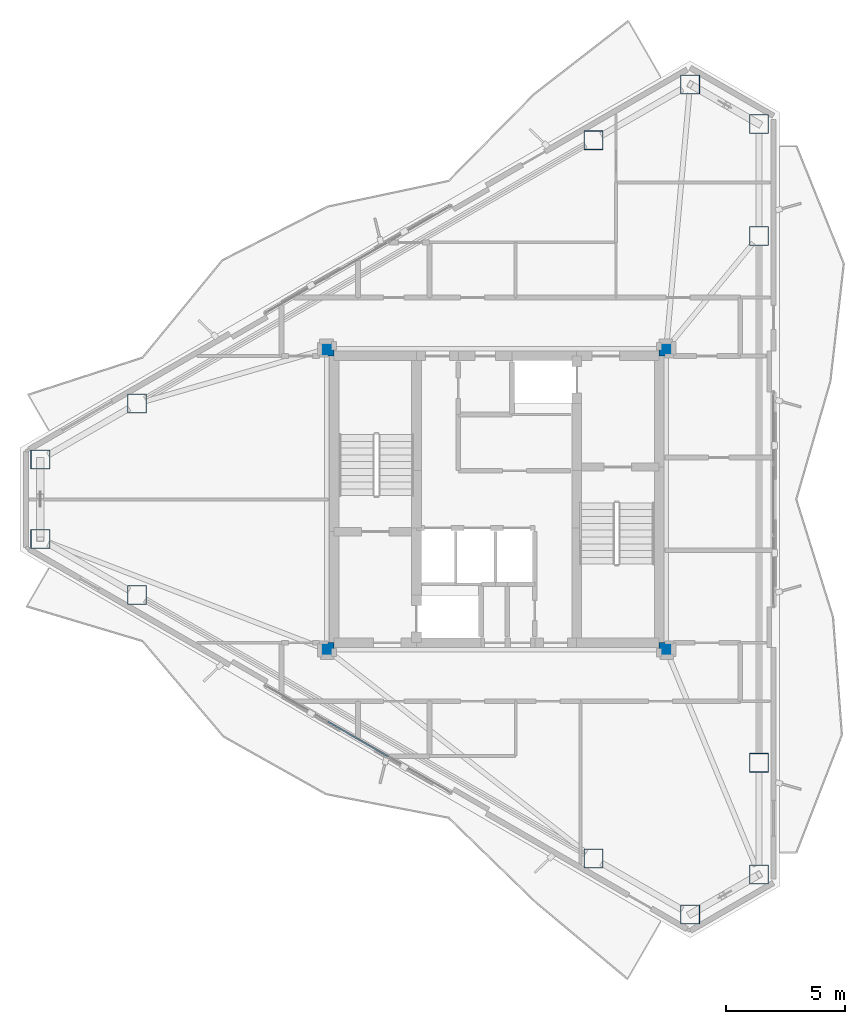
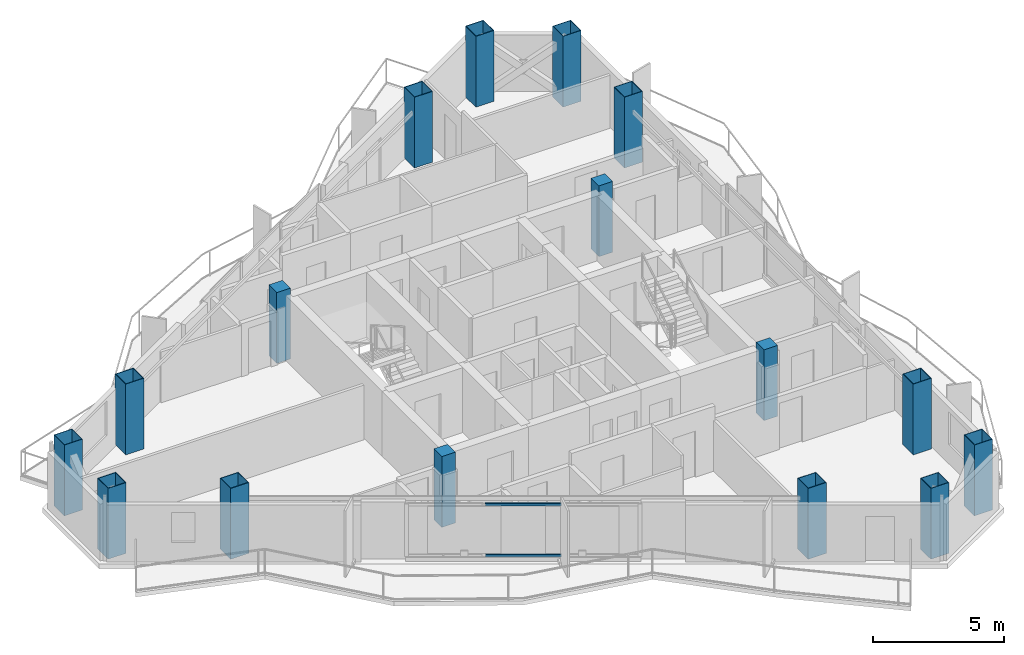
# One storey, part 1 of 21: 16 columns, 2 members, 1 element without a shape of its own.
"""IFC4 building model written with IfcOpenShell, lengths in metres."""

from ifc_helpers import new_model, si_unit, direction, frame, origin, origin_2d, place, context, subcontext, project, spatial, rectangle, hollow_rectangle, extrude, material, layer, layer_set, material_profile, profile_set, type_object, element, aggregate, save


model = new_model("IFC4")

# Units and contexts
model_context = context("Model", 3, precision=1e-05, world=origin(), true_north=direction((0.0, 1.0)))
body_context = subcontext(model_context, "Body", "Model", "MODEL_VIEW")
ifc_project = project(units=[si_unit("LENGTHUNIT", "METRE"), si_unit("AREAUNIT", "SQUARE_METRE"), si_unit("VOLUMEUNIT", "CUBIC_METRE"), si_unit("PLANEANGLEUNIT", "RADIAN"), si_unit("MASSUNIT", "GRAM", prefix="KILO")], contexts=[model_context])

# Site, building, storey
site_placement = place(None, origin())
site = spatial("IfcSite", under=ifc_project, at=site_placement, CompositionType="ELEMENT")
building_placement = place(site_placement, origin())
building = spatial("IfcBuilding", under=site, at=building_placement, Name="Mersakhor Tower and Convention Hall", CompositionType="ELEMENT")
storey_placement = place(building_placement, frame((0.0, 0.0, 215.10009765625)))
storey = spatial("IfcBuildingStorey", under=building, at=storey_placement, Name="L60", CompositionType="ELEMENT", Elevation=215.10009765625)

# Columns
ifc_material_1 = material(Name="Concrete C50/60 in S460M steel box", Category="concrete")
ifc_material_profile_1 = material_profile(ifc_material_1, hollow_rectangle(XDim=0.800048828125, YDim=0.800048828125, WallThickness=0.02490234375, at=origin_2d()), Name="SHS 800x800x25")
ifc_profile_set_1 = profile_set([ifc_material_profile_1], Name="Concrete C50/60 in S460M steel box")
column_type_1 = type_object("IfcColumnType", Name="COL-CFT-800", PredefinedType="COLUMN", material=ifc_profile_set_1)
for number, where, z_axis, x_axis, name in (
    (1, (9.907470703125, 28.415283203125, 0.0), (0.0, 0.0, 1.0), (1.0, 0.0, 0.0), "L60 Perimeter Mega-Column MC-01"),
    (2, (13.959716796875, 30.7548828125, 0.0), (0.0, 0.0, 1.0), (1.0, 0.0, 0.0), "L60 Perimeter Mega-Column MC-02"),
    (3, (33.0517578125, 41.777587890625, 0.0), (0.0, 0.0, 1.0), (1.0, 0.0, 0.0), "L60 Perimeter Mega-Column MC-03"),
    (4, (37.10400390625, 44.1171875, 0.0), (0.0, 0.0, 1.0), (1.0, 0.0, 0.0), "L60 Perimeter Mega-Column MC-04"),
    (5, (39.98828125, 42.451904296875, 0.0), (0.0, 0.0, 1.0), (1.0, 0.0, 0.0), "L60 Perimeter Mega-Column MC-05"),
    (6, (39.98828125, 37.772705078125, 0.0), (0.0, 0.0, 1.0), (1.0, 0.0, 0.0), "L60 Perimeter Mega-Column MC-06"),
    (7, (39.98828125, 15.727294921875, 0.0), (0.0, 0.0, 1.0), (1.0, 0.0, 0.0), "L60 Perimeter Mega-Column MC-07"),
    (8, (39.98828125, 11.048095703125, 0.0), (0.0, 0.0, 1.0), (1.0, 0.0, 0.0), "L60 Perimeter Mega-Column MC-08"),
    (9, (37.10400390625, 9.3828125, 0.0), (0.0, 0.0, 1.0), (1.0, 0.0, 0.0), "L60 Perimeter Mega-Column MC-09"),
    (10, (33.0517578125, 11.722412109375, 0.0), (0.0, 0.0, 1.0), (1.0, 0.0, 0.0), "L60 Perimeter Mega-Column MC-10"),
    (11, (13.959716796875, 22.7451171875, 0.0), (0.0, 0.0, 1.0), (1.0, 0.0, 0.0), "L60 Perimeter Mega-Column MC-11"),
    (12, (9.907470703125, 25.084716796875, 0.0), (0.0, 0.0, 1.0), (1.0, 0.0, 0.0), "L60 Perimeter Mega-Column MC-12"),
):
    element("IfcColumn", number, at=place(storey_placement, frame(where, z_axis=z_axis, x_axis=x_axis)), inside=storey, type_object=column_type_1, Name=name, PredefinedType="COLUMN", context=body_context, shape_type="SweptSolid", body=[
        extrude(hollow_rectangle(XDim=0.800048828125, YDim=0.800048828125, WallThickness=0.02490234375, at=origin_2d()), origin(), (0.0, 0.0, 1.0), 3.2998046875),
    ])
ifc_material_2 = material(Name="Concrete C50/60", Category="concrete")
ifc_material_profile_2 = material_profile(ifc_material_2, rectangle(XDim=0.60009765625, YDim=0.60009765625, at=origin_2d()), Name="RC 600x600")
ifc_profile_set_2 = profile_set([ifc_material_profile_2], Name="Concrete C50/60")
column_type_2 = type_object("IfcColumnType", Name="COL-RC-600", PredefinedType="COLUMN", material=ifc_profile_set_2)
for number, where, z_axis, x_axis, name in (
    (13, (21.89990234375, 20.449951171875, 0.0), (0.0, 0.0, 1.0), (1.0, 0.0, 0.0), "L60 Core Corner Column CC-1"),
    (14, (21.89990234375, 33.050048828125, 0.0), (0.0, 0.0, 1.0), (1.0, 0.0, 0.0), "L60 Core Corner Column CC-2"),
    (15, (36.10009765625, 33.050048828125, 0.0), (0.0, 0.0, 1.0), (1.0, 0.0, 0.0), "L60 Core Corner Column CC-3"),
    (16, (36.10009765625, 20.449951171875, 0.0), (0.0, 0.0, 1.0), (1.0, 0.0, 0.0), "L60 Core Corner Column CC-4"),
):
    element("IfcColumn", number, at=place(storey_placement, frame(where, z_axis=z_axis, x_axis=x_axis)), inside=storey, type_object=column_type_2, Name=name, PredefinedType="COLUMN", context=body_context, shape_type="SweptSolid", body=[
        extrude(rectangle(XDim=0.60009765625, YDim=0.60009765625, at=origin_2d()), origin(), (0.0, 0.0, 1.0), 3.2998046875),
    ])

# Curtain wall, members
ifc_material_3 = material(Name="Dark solar low-E aluminium curtain wall", Category="aluminium")
ifc_layer = layer(ifc_material_3, 0.169921875)
ifc_layer_set = layer_set([ifc_layer], Name="Dark solar low-E aluminium curtain wall")
curtain_wall_type = type_object("IfcCurtainWallType", Name="CW-SYS-02", PredefinedType="USERDEFINED", material=ifc_layer_set)
curtain_wall_placement = place(storey_placement, origin())
curtain_wall = element("IfcCurtainWall", 17, at=curtain_wall_placement, inside=storey, type_object=curtain_wall_type, Name="L60 Dark-Glass Curtain Wall F3-B2", ObjectType="CURTAIN WALL", PredefinedType="USERDEFINED")
ifc_material_4 = material(Name="Anodised aluminium EN AW-6063 T6", Category="aluminium")
ifc_material_profile_3 = material_profile(ifc_material_4, hollow_rectangle(XDim=0.06005859375, YDim=0.1201171875, WallThickness=0.0048828125, at=origin_2d()), Name="RHS 120x60x5")
ifc_profile_set_3 = profile_set([ifc_material_profile_3], Name="Anodised aluminium EN AW-6063 T6")
member_type = type_object("IfcMemberType", Name="CWT-120x60", PredefinedType="USERDEFINED", material=ifc_profile_set_3)
member_1_placement = place(storey_placement, frame((24.47216796875, 15.98291015625, 0.22998046875), z_axis=(-0.866004860328, 0.500035580622, 0.0), x_axis=(-0.500035580622, -0.866004860328, 0.0)))
member_1 = element("IfcMember", 18, at=member_1_placement, type_object=member_type, Name="CW-02 transom 2.1", ObjectType="TRANSOM", PredefinedType="USERDEFINED", context=body_context, shape_type="SweptSolid", body=[
    extrude(hollow_rectangle(XDim=0.06005859375, YDim=0.1201171875, WallThickness=0.0048828125, at=origin_2d()), origin(), (0.0, 0.0, 1.0), 2.924560546875),
])
member_2_placement = place(storey_placement, frame((24.47216796875, 15.98291015625, 2.60986328125), z_axis=(-0.866004860328, 0.500035580622, 0.0), x_axis=(-0.500035580622, -0.866004860328, 0.0)))
member_2 = element("IfcMember", 19, at=member_2_placement, type_object=member_type, Name="CW-02 transom 2.2", ObjectType="TRANSOM", PredefinedType="USERDEFINED", context=body_context, shape_type="SweptSolid", body=[
    extrude(hollow_rectangle(XDim=0.06005859375, YDim=0.1201171875, WallThickness=0.0048828125, at=origin_2d()), origin(), (0.0, 0.0, 1.0), 2.924560546875),
])
aggregate(curtain_wall, [member_1, member_2])

save(model, "model.ifc")
